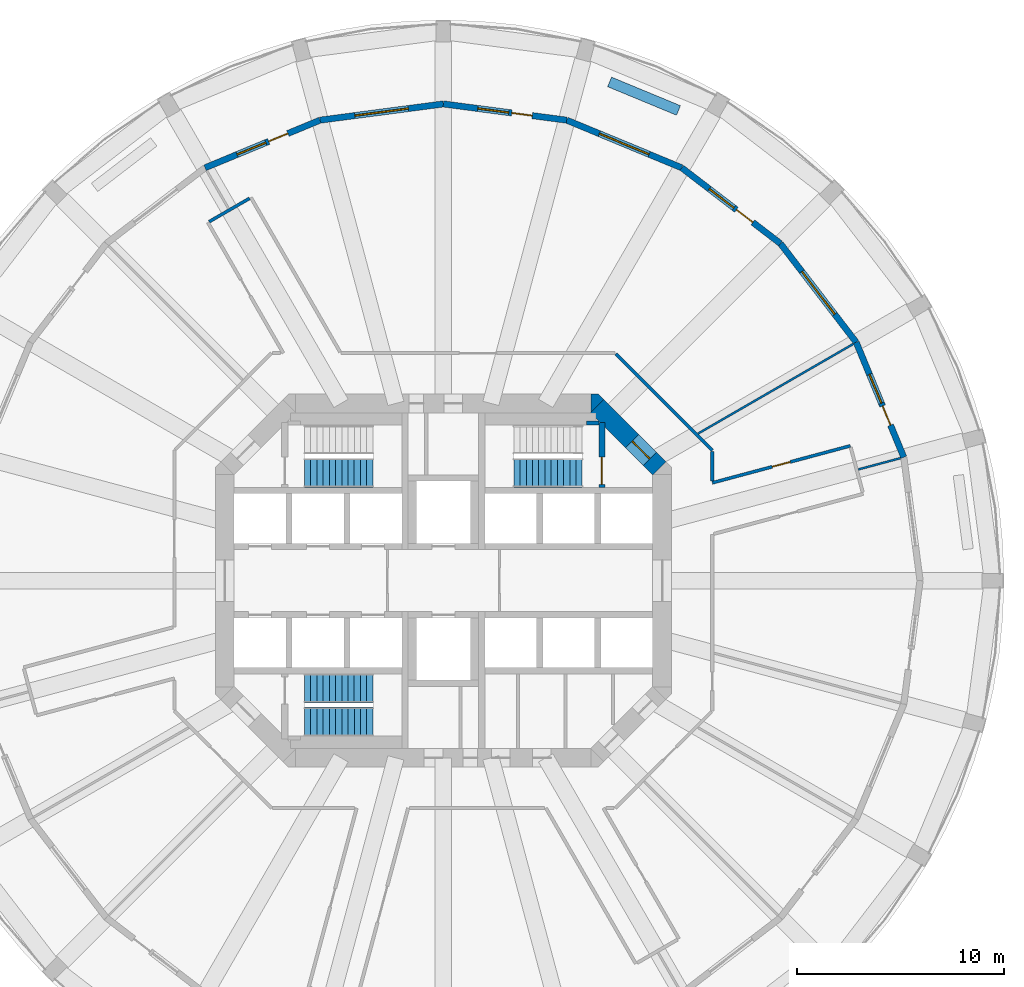
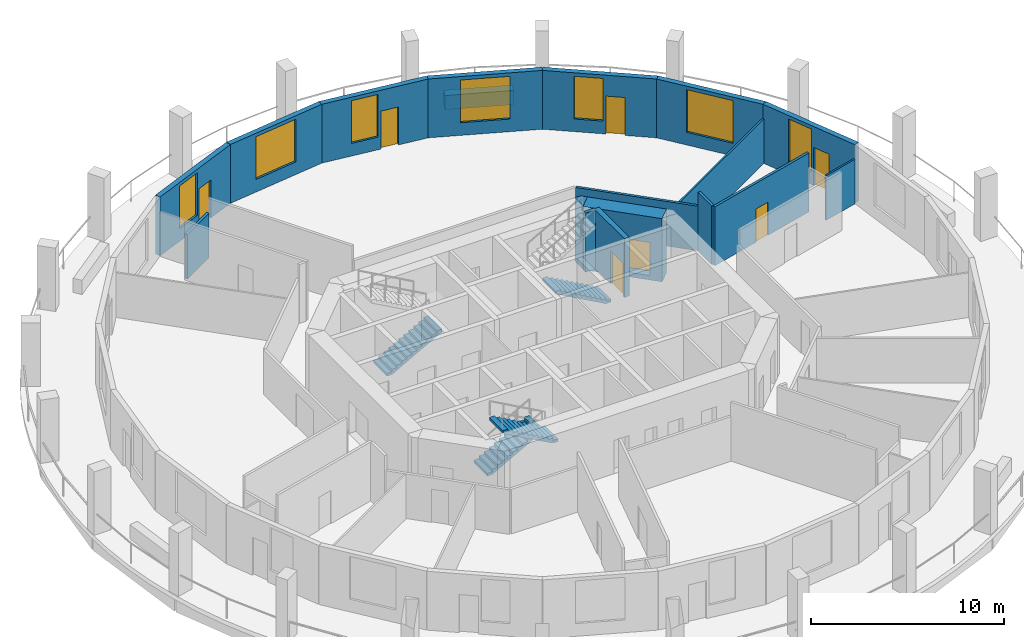
# One storey, part 6 of 9: 18 walls, 7 doors, 7 windows, 4 stair flights, 14 openings, 3 elements without a shape of their own.
"""IFC4 building model written with IfcOpenShell, lengths in metres."""

from ifc_helpers import new_model, si_unit, direction, frame, frame_2d, origin, place, context, subcontext, project, spatial, polyline, rectangle, outline, extrude, material, layer, layer_set, type_object, element, fill, aggregate, save


model = new_model("IFC4")

# Units and contexts
model_context = context("Model", 3, precision=1e-05, world=origin(), true_north=direction((0.0, 1.0)))
body_context = subcontext(model_context, "Body", "Model", "MODEL_VIEW")
ifc_project = project(units=[si_unit("LENGTHUNIT", "METRE"), si_unit("AREAUNIT", "SQUARE_METRE"), si_unit("VOLUMEUNIT", "CUBIC_METRE"), si_unit("PLANEANGLEUNIT", "RADIAN"), si_unit("MASSUNIT", "GRAM", prefix="KILO")], contexts=[model_context])

# Site, building, storey
site_placement = place(None, origin())
site = spatial("IfcSite", under=ifc_project, at=site_placement, CompositionType="ELEMENT")
building_placement = place(site_placement, origin())
building = spatial("IfcBuilding", under=site, at=building_placement, Name="Torre Triforio", CompositionType="ELEMENT")
storey_placement = place(building_placement, frame((0.0, 0.0, 63.0)))
storey = spatial("IfcBuildingStorey", under=building, at=storey_placement, Name="L13", CompositionType="ELEMENT", Elevation=63.0)

# Wall, opening, door
ifc_material_1 = material(Name="Concrete C60", Category="concrete")
ifc_layer_1 = layer(ifc_material_1, 0.89990234375)
ifc_layer_set_1 = layer_set([ifc_layer_1], Name="Concrete C60")
wall_type_1 = type_object("IfcWallType", Name="Core wall 900 mm C60 EI 120", PredefinedType="SHEAR", material=ifc_layer_set_1)
wall_1_placement = place(storey_placement, frame((7.418212890625, 8.418212890625, -0.280029296875), z_axis=(0.0, 0.0, 1.0), x_axis=(0.707106781187, -0.707106781187, 0.0)))
wall_1 = element("IfcWall", 1, at=wall_1_placement, inside=storey, type_object=wall_type_1, Name="Core wall", PredefinedType="SHEAR", context=body_context, shape_type="SweptSolid", body=[
    extrude(rectangle(XDim=4.24267578125, YDim=0.89990234375, at=frame_2d((2.121337890625, 0.0))), origin(), (0.0, 0.0, 1.0), 4.0),
])
opening_1_placement = place(wall_1_placement, frame((2.392578125, 0.0, 0.280029296875)))
opening_1 = element("IfcOpeningElement", 2, at=opening_1_placement, cuts=wall_1, Name="Opening ST2-EXIT", PredefinedType="OPENING", context=body_context, shape_type="SweptSolid", body=[
    extrude(rectangle(XDim=1.199951171875, YDim=2.10009765625, at=frame_2d((0.60009765625, 1.050048828125))), frame((0.0, 0.4599609375, 0.0), z_axis=(0.0, -1.0, 0.0), x_axis=(1.0, 0.0, 0.0)), (0.0, 0.0, 1.0), 0.919921875),
])
ifc_material_2 = material(Name="Hollow metal fire door leaf")
door_type_1 = type_object("IfcDoorType", Name="Stair lobby door 1200 x 2100 EI 60", OperationType="NOTDEFINED", PredefinedType="DOOR", material=ifc_material_2)
door_1_placement = place(opening_1_placement, origin())
door_1 = element("IfcDoor", 3, at=door_1_placement, inside=storey, type_object=door_type_1, Name="Core door ST2-EXIT", OperationType="SINGLE_SWING_RIGHT", OverallHeight=2.10009765625, OverallWidth=1.199951171875, PredefinedType="DOOR", context=body_context, shape_type="SweptSolid", body=[
    extrude(rectangle(XDim=1.199951171875, YDim=2.10009765625, at=frame_2d((0.60009765625, 1.050048828125))), frame((0.0, 0.02490234375, 0.0), z_axis=(0.0, -1.0, 0.0), x_axis=(1.0, 0.0, 0.0)), (0.0, 0.0, 1.0), 0.050048828125),
])
fill(opening_1, door_1)

# Walls
wall_2_placement = place(storey_placement, frame((0.0, 0.0, -0.280029296875)))
element("IfcWall", 4, at=wall_2_placement, inside=storey, type_object=wall_type_1, Name="Core wall", PredefinedType="SHEAR", context=body_context, shape_type="SweptSolid", body=[
    extrude(outline(polyline([(7.472900390625, 9.0), (7.736328125, 8.736328125), (7.1298828125, 8.1298828125), (7.1298828125, 9.0), (7.472900390625, 9.0)])), origin(), (0.0, 0.0, 1.0), 4.0),
])
ifc_material_3 = material(Name="Plasterboard on metal studs")
ifc_layer_2 = layer(ifc_material_3, 0.14990234375)
ifc_layer_set_2 = layer_set([ifc_layer_2], Name="Plasterboard on metal studs")
wall_type_2 = type_object("IfcWallType", Name="Corridor and tenancy wall 150 mm EI 60", PredefinedType="PARTITIONING", material=ifc_layer_set_2)
wall_3_placement = place(storey_placement, frame((-11.298583984375, 17.31982421875, 0.0), z_axis=(0.0, 0.0, 1.0), x_axis=(0.866017533419, 0.500013631625, 0.0)))
element("IfcWall", 5, at=wall_3_placement, inside=storey, type_object=wall_type_2, Name="Partition 7", PredefinedType="PARTITIONING", context=body_context, shape_type="SweptSolid", body=[
    extrude(rectangle(XDim=2.25, YDim=0.14990234375, at=frame_2d((1.125, 0.0))), origin(), (0.0, 0.0, 1.0), 2.820068359375),
])
wall_4_placement = place(storey_placement, frame((8.327880859375, 10.93798828125, 0.0), z_axis=(0.0, 0.0, 1.0), x_axis=(0.707125355289, -0.707088206597, 0.0)))
element("IfcWall", 6, at=wall_4_placement, inside=storey, type_object=wall_type_2, Name="Partition 10", PredefinedType="PARTITIONING", context=body_context, shape_type="SweptSolid", body=[
    extrude(rectangle(XDim=6.572021484375, YDim=0.14990234375, at=frame_2d((3.2861328125, 0.0))), origin(), (0.0, 0.0, 1.0), 2.820068359375),
])
wall_5_placement = place(storey_placement, frame((12.97509765625, 6.23828125, 0.0), z_axis=(0.0, 0.0, 1.0), x_axis=(0.0, -1.0, 0.0)))
element("IfcWall", 7, at=wall_5_placement, inside=storey, type_object=wall_type_2, Name="Partition 11", PredefinedType="PARTITIONING", context=body_context, shape_type="SweptSolid", body=[
    extrude(rectangle(XDim=1.421875, YDim=0.14990234375, at=frame_2d((0.7109375, 0.0))), origin(), (0.0, 0.0, 1.0), 3.719970703125),
])

# Wall, opening, door
wall_6_placement = place(storey_placement, frame((12.97509765625, 4.718994140625, 0.0), z_axis=(0.0, 0.0, 1.0), x_axis=(0.965924499418, 0.258823997003, 0.0)))
wall_6 = element("IfcWall", 8, at=wall_6_placement, inside=storey, type_object=wall_type_2, Name="Partition 12", PredefinedType="PARTITIONING", context=body_context, shape_type="SweptSolid", body=[
    extrude(rectangle(XDim=6.894287109375, YDim=0.14990234375, at=frame_2d((3.447265625, 0.0))), origin(), (0.0, 0.0, 1.0), 3.719970703125),
])
opening_2_placement = place(wall_6_placement, frame((2.997314453125, 0.0, 0.0)))
opening_2 = element("IfcOpeningElement", 9, at=opening_2_placement, cuts=wall_6, Name="Opening N4-10", PredefinedType="OPENING", context=body_context, shape_type="SweptSolid", body=[
    extrude(rectangle(XDim=0.89990234375, YDim=2.10009765625, at=frame_2d((0.449951171875, 1.050048828125))), frame((0.0, 0.0849609375, 0.0), z_axis=(0.0, -1.0, 0.0), x_axis=(1.0, 0.0, 0.0)), (0.0, 0.0, 1.0), 0.169921875),
])
ifc_material_4 = material(Name="Timber", Category="wood")
door_type_2 = type_object("IfcDoorType", Name="Door 900 x 2100 single leaf EI 30", OperationType="NOTDEFINED", PredefinedType="DOOR", material=ifc_material_4)
door_2_placement = place(opening_2_placement, origin())
door_2 = element("IfcDoor", 10, at=door_2_placement, inside=storey, type_object=door_type_2, Name="Door N4-10", OperationType="SINGLE_SWING_RIGHT", OverallHeight=2.10009765625, OverallWidth=0.89990234375, PredefinedType="DOOR", context=body_context, shape_type="SweptSolid", body=[
    extrude(rectangle(XDim=0.89990234375, YDim=2.10009765625, at=frame_2d((0.449951171875, 1.050048828125))), frame((0.0, 0.02490234375, 0.0), z_axis=(0.0, -1.0, 0.0), x_axis=(1.0, 0.0, 0.0)), (0.0, 0.0, 1.0), 0.050048828125),
])
fill(opening_2, door_2)

# Walls
ifc_layer_3 = layer(ifc_material_3, 0.10009765625)
ifc_layer_set_3 = layer_set([ifc_layer_3], Name="Plasterboard on metal studs")
wall_type_3 = type_object("IfcWallType", Name="Partition 100 mm board on metal studs", PredefinedType="PARTITIONING", material=ifc_layer_set_3)
wall_7_placement = place(storey_placement, frame((20.017578125, 5.36376953125, 0.0), z_axis=(0.0, 0.0, 1.0), x_axis=(0.965927422152, 0.258813089189, 0.0)))
element("IfcWall", 11, at=wall_7_placement, inside=storey, type_object=wall_type_3, Name="Partition 29", PredefinedType="PARTITIONING", context=body_context, shape_type="SweptSolid", body=[
    extrude(rectangle(XDim=2.113037109375, YDim=0.10009765625, at=frame_2d((1.056640625, 0.0))), origin(), (0.0, 0.0, 1.0), 2.820068359375),
])
wall_8_placement = place(storey_placement, frame((12.294189453125, 7.097900390625, 0.0), z_axis=(0.0, 0.0, 1.0), x_axis=(0.866010547425, 0.500025731086, 0.0)))
element("IfcWall", 12, at=wall_8_placement, inside=storey, type_object=wall_type_3, Name="Partition 30", PredefinedType="PARTITIONING", context=body_context, shape_type="SweptSolid", body=[
    extrude(rectangle(XDim=8.640625, YDim=0.10009765625, at=frame_2d((4.3203125, 0.0))), origin(), (0.0, 0.0, 1.0), 2.820068359375),
])
ifc_material_5 = material(Name="Limestone cladding", Category="masonry")
ifc_layer_4 = layer(ifc_material_5, 0.10009765625)
ifc_material_6 = material(Name="Concrete C40", Category="concrete")
ifc_layer_5 = layer(ifc_material_6, 0.39990234375)
ifc_layer_set_4 = layer_set([ifc_layer_4, ifc_layer_5], Name="Limestone cladding / Concrete C40")
wall_type_4 = type_object("IfcWallType", Name="Planter wall 500", PredefinedType="PARAPET", material=ifc_layer_set_4)
wall_9_placement = place(storey_placement, frame((11.344970703125, 22.685302734375, 0.0), z_axis=(0.0, 0.0, 1.0), x_axis=(-0.923885420167, 0.382669217998, 0.0)))
element("IfcWall", 13, at=wall_9_placement, inside=storey, type_object=wall_type_4, Name="Planter L13 bay 05", PredefinedType="PARAPET", context=body_context, shape_type="SweptSolid", body=[
    extrude(rectangle(XDim=3.60009765625, YDim=0.5, at=frame_2d((1.800048828125, 0.0))), origin(), (0.0, 0.0, 1.0), 0.89990234375),
])
ifc_layer_6 = layer(ifc_material_1, 0.199951171875)
ifc_layer_set_5 = layer_set([ifc_layer_6], Name="Concrete C60")
wall_type_5 = type_object("IfcWallType", Name="Stair wall 200 mm C60 EI 120", PredefinedType="SHEAR", material=ifc_layer_set_5)
wall_10_placement = place(storey_placement, frame((6.89990234375, 7.60009765625, 0.0), z_axis=(0.0, 0.0, 1.0), x_axis=(1.0, 0.0, 0.0)))
element("IfcWall", 14, at=wall_10_placement, inside=storey, type_object=wall_type_5, Name="Stair wall", PredefinedType="SHEAR", context=body_context, shape_type="SweptSolid", body=[
    extrude(rectangle(XDim=0.60009765625, YDim=0.199951171875, at=frame_2d((0.300048828125, 0.0))), origin(), (0.0, 0.0, 1.0), 3.719970703125),
])

# Wall, opening, door
ifc_layer_7 = layer(ifc_material_1, 0.300048828125)
ifc_layer_set_6 = layer_set([ifc_layer_7], Name="Concrete C60")
wall_type_6 = type_object("IfcWallType", Name="Stair wall 300 mm C60 EI 120", PredefinedType="SHEAR", material=ifc_layer_set_6)
wall_11_placement = place(storey_placement, frame((7.64990234375, 4.5, 0.0), z_axis=(0.0, 0.0, 1.0), x_axis=(0.0, 1.0, 0.0)))
wall_11 = element("IfcWall", 15, at=wall_11_placement, inside=storey, type_object=wall_type_6, Name="Stair wall", PredefinedType="SHEAR", context=body_context, shape_type="SweptSolid", body=[
    extrude(rectangle(XDim=3.139892578125, YDim=0.300048828125, at=frame_2d((1.56982421875, 0.0))), origin(), (0.0, 0.0, 1.0), 3.719970703125),
])
opening_3_placement = place(wall_11_placement, frame((0.139892578125, 0.0, 0.0)))
opening_3 = element("IfcOpeningElement", 16, at=opening_3_placement, cuts=wall_11, Name="Opening ST2-STA", PredefinedType="OPENING", context=body_context, shape_type="SweptSolid", body=[
    extrude(rectangle(XDim=1.320068359375, YDim=2.10009765625, at=frame_2d((0.66015625, 1.050048828125))), frame((0.0, 0.159912109375, 0.0), z_axis=(0.0, -1.0, 0.0), x_axis=(1.0, 0.0, 0.0)), (0.0, 0.0, 1.0), 0.320068359375),
])
door_type_3 = type_object("IfcDoorType", Name="Stair door 1320 x 2100 EI 90", OperationType="DOUBLE_DOOR_SINGLE_SWING", PredefinedType="DOOR", material=ifc_material_2)
door_3_placement = place(opening_3_placement, origin())
door_3 = element("IfcDoor", 17, at=door_3_placement, inside=storey, type_object=door_type_3, Name="Core door ST2-ST", OperationType="DOUBLE_DOOR_SINGLE_SWING", OverallHeight=2.10009765625, OverallWidth=1.320068359375, PredefinedType="DOOR", context=body_context, shape_type="SweptSolid", body=[
    extrude(rectangle(XDim=1.320068359375, YDim=2.10009765625, at=frame_2d((0.66015625, 1.050048828125))), frame((0.0, 0.02490234375, 0.0), z_axis=(0.0, -1.0, 0.0), x_axis=(1.0, 0.0, 0.0)), (0.0, 0.0, 1.0), 0.050048828125),
])
fill(opening_3, door_3)

# Wall, openings, door, window
ifc_layer_8 = layer(ifc_material_5, 0.10009765625)
ifc_layer_9 = layer(ifc_material_6, 0.199951171875)
ifc_layer_set_7 = layer_set([ifc_layer_8, ifc_layer_9], Name="Limestone cladding / Concrete C40")
wall_type_7 = type_object("IfcWallType", Name="Stone-faced composite wall 300", PredefinedType="STANDARD", material=ifc_layer_set_7)
wall_12_placement = place(storey_placement, frame((22.21630859375, 5.952880859375, 0.0), z_axis=(0.0, 0.0, 1.0), x_axis=(-0.382671411433, 0.923884511653, 0.0)))
wall_12 = element("IfcWall", 18, at=wall_12_placement, inside=storey, type_object=wall_type_7, Name="External wall L13 bay 02", PredefinedType="STANDARD", context=body_context, shape_type="SweptSolid", body=[
    extrude(rectangle(XDim=6.004150390625, YDim=0.300048828125, at=frame_2d((3.001953125, 0.0))), origin(), (0.0, 0.0, 1.0), 3.719970703125),
])
opening_4_placement = place(wall_12_placement, frame((1.677001953125, 0.0, 0.0)))
opening_4 = element("IfcOpeningElement", 19, at=opening_4_placement, cuts=wall_12, Name="Opening N4-D02", PredefinedType="OPENING", context=body_context, shape_type="SweptSolid", body=[
    extrude(rectangle(XDim=1.0, YDim=2.39990234375, at=frame_2d((0.5, 1.199951171875))), frame((0.0, 0.159912109375, 0.0), z_axis=(0.0, -1.0, 0.0), x_axis=(1.0, 0.0, 0.0)), (0.0, 0.0, 1.0), 0.320068359375),
])
opening_5_placement = place(wall_12_placement, frame((2.8271484375, 0.0, 0.800048828125)))
opening_5 = element("IfcOpeningElement", 20, at=opening_5_placement, cuts=wall_12, Name="Opening N4-W02A", PredefinedType="OPENING", context=body_context, shape_type="SweptSolid", body=[
    extrude(rectangle(XDim=1.5, YDim=2.699951171875, at=frame_2d((0.75, 1.35009765625))), frame((0.0, 0.159912109375, 0.0), z_axis=(0.0, -1.0, 0.0), x_axis=(1.0, 0.0, 0.0)), (0.0, 0.0, 1.0), 0.320068359375),
])
ifc_material_7 = material(Name="Aluminium frame with clear double glazing", Category="aluminium")
door_type_4 = type_object("IfcDoorType", Name="Loggia door 1000 x 2400", OperationType="NOTDEFINED", PredefinedType="DOOR", material=ifc_material_7)
door_4_placement = place(opening_4_placement, origin())
door_4 = element("IfcDoor", 21, at=door_4_placement, inside=storey, type_object=door_type_4, Name="Loggia door L13 bay 02", OperationType="SINGLE_SWING_LEFT", OverallHeight=2.39990234375, OverallWidth=1.0, PredefinedType="DOOR", context=body_context, shape_type="SweptSolid", body=[
    extrude(rectangle(XDim=1.0, YDim=2.39990234375, at=frame_2d((0.5, 1.199951171875))), frame((0.0, 0.02490234375, 0.0), z_axis=(0.0, -1.0, 0.0), x_axis=(1.0, 0.0, 0.0)), (0.0, 0.0, 1.0), 0.050048828125),
])
fill(opening_4, door_4)
window_type_1 = type_object("IfcWindowType", Name="Side window 1500 x 2700", PartitioningType="SINGLE_PANEL", PredefinedType="WINDOW", material=ifc_material_7)
window_1_placement = place(opening_5_placement, origin())
window_1 = element("IfcWindow", 22, at=window_1_placement, inside=storey, type_object=window_type_1, Name="Side window EWN12 L13 bay 02", OverallHeight=2.699951171875, OverallWidth=1.5, PartitioningType="SINGLE_PANEL", PredefinedType="WINDOW", context=body_context, shape_type="SweptSolid", body=[
    extrude(rectangle(XDim=1.5, YDim=2.699951171875, at=frame_2d((0.75, 1.35009765625))), frame((0.0, 0.030029296875, 0.0), z_axis=(0.0, -1.0, 0.0), x_axis=(1.0, 0.0, 0.0)), (0.0, 0.0, 1.0), 0.06005859375),
])
fill(opening_5, window_1)

# Wall, opening, window
wall_13_placement = place(storey_placement, frame((19.918701171875, 11.5, 0.0), z_axis=(0.0, 0.0, 1.0), x_axis=(-0.608778912074, 0.793339924758, 0.0)))
wall_13 = element("IfcWall", 23, at=wall_13_placement, inside=storey, type_object=wall_type_7, Name="External wall L13 bay 03", PredefinedType="STANDARD", context=body_context, shape_type="SweptSolid", body=[
    extrude(rectangle(XDim=6.004150390625, YDim=0.300048828125, at=frame_2d((3.001953125, 0.0))), origin(), (0.0, 0.0, 1.0), 3.719970703125),
])
opening_6_placement = place(wall_13_placement, frame((1.7021484375, 0.0, 0.800048828125)))
opening_6 = element("IfcOpeningElement", 24, at=opening_6_placement, cuts=wall_13, Name="Opening N4-W03", PredefinedType="OPENING", context=body_context, shape_type="SweptSolid", body=[
    extrude(rectangle(XDim=2.60009765625, YDim=2.699951171875, at=frame_2d((1.300048828125, 1.35009765625))), frame((0.0, 0.159912109375, 0.0), z_axis=(0.0, -1.0, 0.0), x_axis=(1.0, 0.0, 0.0)), (0.0, 0.0, 1.0), 0.320068359375),
])
window_type_2 = type_object("IfcWindowType", Name="Punched window 2600 x 2700", PartitioningType="DOUBLE_PANEL_VERTICAL", PredefinedType="WINDOW", material=ifc_material_7)
window_2_placement = place(opening_6_placement, origin())
window_2 = element("IfcWindow", 25, at=window_2_placement, inside=storey, type_object=window_type_2, Name="Window EWN2 L13 bay 03", OverallHeight=2.699951171875, OverallWidth=2.60009765625, PartitioningType="SINGLE_PANEL", PredefinedType="WINDOW", context=body_context, shape_type="SweptSolid", body=[
    extrude(rectangle(XDim=2.60009765625, YDim=2.699951171875, at=frame_2d((1.300048828125, 1.35009765625))), frame((0.0, 0.030029296875, 0.0), z_axis=(0.0, -1.0, 0.0), x_axis=(1.0, 0.0, 0.0)), (0.0, 0.0, 1.0), 0.06005859375),
])
fill(opening_6, window_2)

# Wall, openings, door, window
wall_14_placement = place(storey_placement, frame((16.263427734375, 16.263427734375, 0.0), z_axis=(0.0, 0.0, 1.0), x_axis=(-0.793339924758, 0.608778912074, 0.0)))
wall_14 = element("IfcWall", 26, at=wall_14_placement, inside=storey, type_object=wall_type_7, Name="External wall L13 bay 04", PredefinedType="STANDARD", context=body_context, shape_type="SweptSolid", body=[
    extrude(rectangle(XDim=6.004150390625, YDim=0.300048828125, at=frame_2d((3.001953125, 0.0))), origin(), (0.0, 0.0, 1.0), 3.719970703125),
])
opening_7_placement = place(wall_14_placement, frame((1.677001953125, 0.0, 0.0)))
opening_7 = element("IfcOpeningElement", 27, at=opening_7_placement, cuts=wall_14, Name="Opening N4-D04", PredefinedType="OPENING", context=body_context, shape_type="SweptSolid", body=[
    extrude(rectangle(XDim=1.0, YDim=2.39990234375, at=frame_2d((0.5, 1.199951171875))), frame((0.0, 0.159912109375, 0.0), z_axis=(0.0, -1.0, 0.0), x_axis=(1.0, 0.0, 0.0)), (0.0, 0.0, 1.0), 0.320068359375),
])
opening_8_placement = place(wall_14_placement, frame((2.8271484375, 0.0, 0.800048828125)))
opening_8 = element("IfcOpeningElement", 28, at=opening_8_placement, cuts=wall_14, Name="Opening N4-W04A", PredefinedType="OPENING", context=body_context, shape_type="SweptSolid", body=[
    extrude(rectangle(XDim=1.5, YDim=2.699951171875, at=frame_2d((0.75, 1.35009765625))), frame((0.0, 0.159912109375, 0.0), z_axis=(0.0, -1.0, 0.0), x_axis=(1.0, 0.0, 0.0)), (0.0, 0.0, 1.0), 0.320068359375),
])
door_5_placement = place(opening_7_placement, origin())
door_5 = element("IfcDoor", 29, at=door_5_placement, inside=storey, type_object=door_type_4, Name="Loggia door L13 bay 04", OperationType="SINGLE_SWING_LEFT", OverallHeight=2.39990234375, OverallWidth=1.0, PredefinedType="DOOR", context=body_context, shape_type="SweptSolid", body=[
    extrude(rectangle(XDim=1.0, YDim=2.39990234375, at=frame_2d((0.5, 1.199951171875))), frame((0.0, 0.02490234375, 0.0), z_axis=(0.0, -1.0, 0.0), x_axis=(1.0, 0.0, 0.0)), (0.0, 0.0, 1.0), 0.050048828125),
])
fill(opening_7, door_5)
window_3_placement = place(opening_8_placement, origin())
window_3 = element("IfcWindow", 30, at=window_3_placement, inside=storey, type_object=window_type_1, Name="Side window EWN12 L13 bay 04", OverallHeight=2.699951171875, OverallWidth=1.5, PartitioningType="SINGLE_PANEL", PredefinedType="WINDOW", context=body_context, shape_type="SweptSolid", body=[
    extrude(rectangle(XDim=1.5, YDim=2.699951171875, at=frame_2d((0.75, 1.35009765625))), frame((0.0, 0.030029296875, 0.0), z_axis=(0.0, -1.0, 0.0), x_axis=(1.0, 0.0, 0.0)), (0.0, 0.0, 1.0), 0.06005859375),
])
fill(opening_8, window_3)

# Wall, opening, window
wall_15_placement = place(storey_placement, frame((11.5, 19.918701171875, 0.0), z_axis=(0.0, 0.0, 1.0), x_axis=(-0.923884511653, 0.382671411433, 0.0)))
wall_15 = element("IfcWall", 31, at=wall_15_placement, inside=storey, type_object=wall_type_7, Name="External wall L13 bay 05", PredefinedType="STANDARD", context=body_context, shape_type="SweptSolid", body=[
    extrude(rectangle(XDim=6.004150390625, YDim=0.300048828125, at=frame_2d((3.001953125, 0.0))), origin(), (0.0, 0.0, 1.0), 3.719970703125),
])
opening_9_placement = place(wall_15_placement, frame((1.7021484375, 0.0, 0.800048828125)))
opening_9 = element("IfcOpeningElement", 32, at=opening_9_placement, cuts=wall_15, Name="Opening N4-W05", PredefinedType="OPENING", context=body_context, shape_type="SweptSolid", body=[
    extrude(rectangle(XDim=2.60009765625, YDim=2.699951171875, at=frame_2d((1.300048828125, 1.35009765625))), frame((0.0, 0.159912109375, 0.0), z_axis=(0.0, -1.0, 0.0), x_axis=(1.0, 0.0, 0.0)), (0.0, 0.0, 1.0), 0.320068359375),
])
window_4_placement = place(opening_9_placement, origin())
window_4 = element("IfcWindow", 33, at=window_4_placement, inside=storey, type_object=window_type_2, Name="Window EWN2 L13 bay 05", OverallHeight=2.699951171875, OverallWidth=2.60009765625, PartitioningType="SINGLE_PANEL", PredefinedType="WINDOW", context=body_context, shape_type="SweptSolid", body=[
    extrude(rectangle(XDim=2.60009765625, YDim=2.699951171875, at=frame_2d((1.300048828125, 1.35009765625))), frame((0.0, 0.030029296875, 0.0), z_axis=(0.0, -1.0, 0.0), x_axis=(1.0, 0.0, 0.0)), (0.0, 0.0, 1.0), 0.06005859375),
])
fill(opening_9, window_4)

# Wall, openings, door, window
wall_16_placement = place(storey_placement, frame((5.952880859375, 22.21630859375, 0.0), z_axis=(0.0, 0.0, 1.0), x_axis=(-0.991445297315, 0.130522880875, 0.0)))
wall_16 = element("IfcWall", 34, at=wall_16_placement, inside=storey, type_object=wall_type_7, Name="External wall L13 bay 06", PredefinedType="STANDARD", context=body_context, shape_type="SweptSolid", body=[
    extrude(rectangle(XDim=6.004150390625, YDim=0.300048828125, at=frame_2d((3.001953125, 0.0))), origin(), (0.0, 0.0, 1.0), 3.719970703125),
])
opening_10_placement = place(wall_16_placement, frame((1.677001953125, 0.0, 0.0)))
opening_10 = element("IfcOpeningElement", 35, at=opening_10_placement, cuts=wall_16, Name="Opening N4-D06", PredefinedType="OPENING", context=body_context, shape_type="SweptSolid", body=[
    extrude(rectangle(XDim=1.0, YDim=2.39990234375, at=frame_2d((0.5, 1.199951171875))), frame((0.0, 0.159912109375, 0.0), z_axis=(0.0, -1.0, 0.0), x_axis=(1.0, 0.0, 0.0)), (0.0, 0.0, 1.0), 0.320068359375),
])
opening_11_placement = place(wall_16_placement, frame((2.8271484375, 0.0, 0.800048828125)))
opening_11 = element("IfcOpeningElement", 36, at=opening_11_placement, cuts=wall_16, Name="Opening N4-W06A", PredefinedType="OPENING", context=body_context, shape_type="SweptSolid", body=[
    extrude(rectangle(XDim=1.5, YDim=2.699951171875, at=frame_2d((0.75, 1.35009765625))), frame((0.0, 0.159912109375, 0.0), z_axis=(0.0, -1.0, 0.0), x_axis=(1.0, 0.0, 0.0)), (0.0, 0.0, 1.0), 0.320068359375),
])
door_6_placement = place(opening_10_placement, origin())
door_6 = element("IfcDoor", 37, at=door_6_placement, inside=storey, type_object=door_type_4, Name="Loggia door L13 bay 06", OperationType="SINGLE_SWING_LEFT", OverallHeight=2.39990234375, OverallWidth=1.0, PredefinedType="DOOR", context=body_context, shape_type="SweptSolid", body=[
    extrude(rectangle(XDim=1.0, YDim=2.39990234375, at=frame_2d((0.5, 1.199951171875))), frame((0.0, 0.02490234375, 0.0), z_axis=(0.0, -1.0, 0.0), x_axis=(1.0, 0.0, 0.0)), (0.0, 0.0, 1.0), 0.050048828125),
])
fill(opening_10, door_6)
window_5_placement = place(opening_11_placement, origin())
window_5 = element("IfcWindow", 38, at=window_5_placement, inside=storey, type_object=window_type_1, Name="Side window EWN12 L13 bay 06", OverallHeight=2.699951171875, OverallWidth=1.5, PartitioningType="SINGLE_PANEL", PredefinedType="WINDOW", context=body_context, shape_type="SweptSolid", body=[
    extrude(rectangle(XDim=1.5, YDim=2.699951171875, at=frame_2d((0.75, 1.35009765625))), frame((0.0, 0.030029296875, 0.0), z_axis=(0.0, -1.0, 0.0), x_axis=(1.0, 0.0, 0.0)), (0.0, 0.0, 1.0), 0.06005859375),
])
fill(opening_11, window_5)

# Wall, opening, window
wall_17_placement = place(storey_placement, frame((0.0, 23.0, 0.0), z_axis=(0.0, 0.0, 1.0), x_axis=(-0.991445297315, -0.130522880875, 0.0)))
wall_17 = element("IfcWall", 39, at=wall_17_placement, inside=storey, type_object=wall_type_7, Name="External wall L13 bay 07", PredefinedType="STANDARD", context=body_context, shape_type="SweptSolid", body=[
    extrude(rectangle(XDim=6.004150390625, YDim=0.300048828125, at=frame_2d((3.001953125, 0.0))), origin(), (0.0, 0.0, 1.0), 3.719970703125),
])
opening_12_placement = place(wall_17_placement, frame((1.7021484375, 0.0, 0.800048828125)))
opening_12 = element("IfcOpeningElement", 40, at=opening_12_placement, cuts=wall_17, Name="Opening N4-W07", PredefinedType="OPENING", context=body_context, shape_type="SweptSolid", body=[
    extrude(rectangle(XDim=2.60009765625, YDim=2.699951171875, at=frame_2d((1.300048828125, 1.35009765625))), frame((0.0, 0.159912109375, 0.0), z_axis=(0.0, -1.0, 0.0), x_axis=(1.0, 0.0, 0.0)), (0.0, 0.0, 1.0), 0.320068359375),
])
window_6_placement = place(opening_12_placement, origin())
window_6 = element("IfcWindow", 41, at=window_6_placement, inside=storey, type_object=window_type_2, Name="Window EWN2 L13 bay 07", OverallHeight=2.699951171875, OverallWidth=2.60009765625, PartitioningType="SINGLE_PANEL", PredefinedType="WINDOW", context=body_context, shape_type="SweptSolid", body=[
    extrude(rectangle(XDim=2.60009765625, YDim=2.699951171875, at=frame_2d((1.300048828125, 1.35009765625))), frame((0.0, 0.030029296875, 0.0), z_axis=(0.0, -1.0, 0.0), x_axis=(1.0, 0.0, 0.0)), (0.0, 0.0, 1.0), 0.06005859375),
])
fill(opening_12, window_6)

# Wall, openings, door, window
wall_18_placement = place(storey_placement, frame((-5.952880859375, 22.21630859375, 0.0), z_axis=(0.0, 0.0, 1.0), x_axis=(-0.923884511653, -0.382671411433, 0.0)))
wall_18 = element("IfcWall", 42, at=wall_18_placement, inside=storey, type_object=wall_type_7, Name="External wall L13 bay 08", PredefinedType="STANDARD", context=body_context, shape_type="SweptSolid", body=[
    extrude(rectangle(XDim=6.004150390625, YDim=0.300048828125, at=frame_2d((3.001953125, 0.0))), origin(), (0.0, 0.0, 1.0), 3.719970703125),
])
opening_13_placement = place(wall_18_placement, frame((1.677001953125, 0.0, 0.0)))
opening_13 = element("IfcOpeningElement", 43, at=opening_13_placement, cuts=wall_18, Name="Opening N4-D08", PredefinedType="OPENING", context=body_context, shape_type="SweptSolid", body=[
    extrude(rectangle(XDim=1.0, YDim=2.39990234375, at=frame_2d((0.5, 1.199951171875))), frame((0.0, 0.159912109375, 0.0), z_axis=(0.0, -1.0, 0.0), x_axis=(1.0, 0.0, 0.0)), (0.0, 0.0, 1.0), 0.320068359375),
])
opening_14_placement = place(wall_18_placement, frame((2.8271484375, 0.0, 0.800048828125)))
opening_14 = element("IfcOpeningElement", 44, at=opening_14_placement, cuts=wall_18, Name="Opening N4-W08A", PredefinedType="OPENING", context=body_context, shape_type="SweptSolid", body=[
    extrude(rectangle(XDim=1.5, YDim=2.699951171875, at=frame_2d((0.75, 1.35009765625))), frame((0.0, 0.159912109375, 0.0), z_axis=(0.0, -1.0, 0.0), x_axis=(1.0, 0.0, 0.0)), (0.0, 0.0, 1.0), 0.320068359375),
])
door_7_placement = place(opening_13_placement, origin())
door_7 = element("IfcDoor", 45, at=door_7_placement, inside=storey, type_object=door_type_4, Name="Loggia door L13 bay 08", OperationType="SINGLE_SWING_LEFT", OverallHeight=2.39990234375, OverallWidth=1.0, PredefinedType="DOOR", context=body_context, shape_type="SweptSolid", body=[
    extrude(rectangle(XDim=1.0, YDim=2.39990234375, at=frame_2d((0.5, 1.199951171875))), frame((0.0, 0.02490234375, 0.0), z_axis=(0.0, -1.0, 0.0), x_axis=(1.0, 0.0, 0.0)), (0.0, 0.0, 1.0), 0.050048828125),
])
fill(opening_13, door_7)
window_7_placement = place(opening_14_placement, origin())
window_7 = element("IfcWindow", 46, at=window_7_placement, inside=storey, type_object=window_type_1, Name="Side window EWN12 L13 bay 08", OverallHeight=2.699951171875, OverallWidth=1.5, PartitioningType="SINGLE_PANEL", PredefinedType="WINDOW", context=body_context, shape_type="SweptSolid", body=[
    extrude(rectangle(XDim=1.5, YDim=2.699951171875, at=frame_2d((0.75, 1.35009765625))), frame((0.0, 0.030029296875, 0.0), z_axis=(0.0, -1.0, 0.0), x_axis=(1.0, 0.0, 0.0)), (0.0, 0.0, 1.0), 0.06005859375),
])
fill(opening_14, window_7)

# Stair, stair flight
stair_type = type_object("IfcStairType", Name="STAIR HALF-TURN", PredefinedType="HALF_TURN_STAIR", material=ifc_material_6)
stair_1_placement = place(storey_placement, origin())
stair_1 = element("IfcStair", 47, at=stair_1_placement, inside=storey, type_object=stair_type, Name="Exit stair 1", PredefinedType="HALF_TURN_STAIR")
stair_flight_type = type_object("IfcStairFlightType", Name="STAIR FLIGHT 1400", PredefinedType="STRAIGHT", material=ifc_material_6)
stair_flight_1_placement = place(storey_placement, frame((-6.699951171875, 5.199951171875, 0.0), z_axis=(0.0, 0.0, 1.0), x_axis=(1.0, 0.0, 0.0)))
stair_flight_1 = element("IfcStairFlight", 48, at=stair_flight_1_placement, type_object=stair_flight_type, Name="ST1 flight 1", NumberOfRisers=12, NumberOfTreads=11, PredefinedType="STRAIGHT", RiserHeight=0.166666667, TreadLength=0.3, context=body_context, shape_type="SweptSolid", body=[
    extrude(outline(polyline([(0.0, 0.0), (0.0, 0.166748046875), (0.300048828125, 0.166748046875), (0.300048828125, 0.333251953125), (0.60009765625, 0.333251953125), (0.60009765625, 0.5), (0.89990234375, 0.5), (0.89990234375, 0.666748046875), (1.199951171875, 0.666748046875), (1.199951171875, 0.833251953125), (1.5, 0.833251953125), (1.5, 1.0), (1.800048828125, 1.0), (1.800048828125, 1.166748046875), (2.10009765625, 1.166748046875), (2.10009765625, 1.333251953125), (2.39990234375, 1.333251953125), (2.39990234375, 1.5), (2.699951171875, 1.5), (2.699951171875, 1.666748046875), (3.0, 1.666748046875), (3.0, 1.833251953125), (3.300048828125, 1.833251953125), (3.300048828125, 2.0), (3.300048828125, 1.661865234375), (0.30859375, 0.0), (0.0, 0.0)])), frame((0.0, 0.699951171875, 0.0), z_axis=(0.0, -1.0, 0.0), x_axis=(1.0, 0.0, 0.0)), (0.0, 0.0, 1.0), 1.39990234375),
])
aggregate(stair_1, [stair_flight_1])

stair_2_placement = place(storey_placement, origin())
stair_2 = element("IfcStair", 49, at=stair_2_placement, inside=storey, type_object=stair_type, Name="Exit stair 2", PredefinedType="HALF_TURN_STAIR")
stair_flight_2_placement = place(storey_placement, frame((6.699951171875, 5.199951171875, 0.0), z_axis=(0.0, 0.0, 1.0), x_axis=(-1.0, 0.0, 0.0)))
stair_flight_2 = element("IfcStairFlight", 50, at=stair_flight_2_placement, type_object=stair_flight_type, Name="ST2 flight 1", NumberOfRisers=12, NumberOfTreads=11, PredefinedType="STRAIGHT", RiserHeight=0.166666667, TreadLength=0.3, context=body_context, shape_type="SweptSolid", body=[
    extrude(outline(polyline([(0.0, 0.0), (0.0, 0.166748046875), (0.300048828125, 0.166748046875), (0.300048828125, 0.333251953125), (0.60009765625, 0.333251953125), (0.60009765625, 0.5), (0.89990234375, 0.5), (0.89990234375, 0.666748046875), (1.199951171875, 0.666748046875), (1.199951171875, 0.833251953125), (1.5, 0.833251953125), (1.5, 1.0), (1.800048828125, 1.0), (1.800048828125, 1.166748046875), (2.10009765625, 1.166748046875), (2.10009765625, 1.333251953125), (2.39990234375, 1.333251953125), (2.39990234375, 1.5), (2.699951171875, 1.5), (2.699951171875, 1.666748046875), (3.0, 1.666748046875), (3.0, 1.833251953125), (3.300048828125, 1.833251953125), (3.300048828125, 2.0), (3.300048828125, 1.661865234375), (0.30859375, 0.0), (0.0, 0.0)])), frame((0.0, 0.699951171875, 0.0), z_axis=(0.0, -1.0, 0.0), x_axis=(1.0, 0.0, 0.0)), (0.0, 0.0, 1.0), 1.39990234375),
])
aggregate(stair_2, [stair_flight_2])

# Stair, stair flights
stair_3_placement = place(storey_placement, origin())
stair_3 = element("IfcStair", 51, at=stair_3_placement, inside=storey, type_object=stair_type, Name="Exit stair 3", PredefinedType="HALF_TURN_STAIR")
stair_flight_3_placement = place(storey_placement, frame((-6.699951171875, -5.199951171875, 0.0), z_axis=(0.0, 0.0, 1.0), x_axis=(1.0, 0.0, 0.0)))
stair_flight_3 = element("IfcStairFlight", 52, at=stair_flight_3_placement, type_object=stair_flight_type, Name="ST3 flight 1", NumberOfRisers=12, NumberOfTreads=11, PredefinedType="STRAIGHT", RiserHeight=0.166666667, TreadLength=0.3, context=body_context, shape_type="SweptSolid", body=[
    extrude(outline(polyline([(0.0, 0.0), (0.0, 0.166748046875), (0.300048828125, 0.166748046875), (0.300048828125, 0.333251953125), (0.60009765625, 0.333251953125), (0.60009765625, 0.5), (0.89990234375, 0.5), (0.89990234375, 0.666748046875), (1.199951171875, 0.666748046875), (1.199951171875, 0.833251953125), (1.5, 0.833251953125), (1.5, 1.0), (1.800048828125, 1.0), (1.800048828125, 1.166748046875), (2.10009765625, 1.166748046875), (2.10009765625, 1.333251953125), (2.39990234375, 1.333251953125), (2.39990234375, 1.5), (2.699951171875, 1.5), (2.699951171875, 1.666748046875), (3.0, 1.666748046875), (3.0, 1.833251953125), (3.300048828125, 1.833251953125), (3.300048828125, 2.0), (3.300048828125, 1.661865234375), (0.30859375, 0.0), (0.0, 0.0)])), frame((0.0, 0.699951171875, 0.0), z_axis=(0.0, -1.0, 0.0), x_axis=(1.0, 0.0, 0.0)), (0.0, 0.0, 1.0), 1.39990234375),
])
stair_flight_4_placement = place(storey_placement, frame((-3.39990234375, -6.800048828125, 2.0), z_axis=(0.0, 0.0, 1.0), x_axis=(-1.0, 0.0, 0.0)))
stair_flight_4 = element("IfcStairFlight", 53, at=stair_flight_4_placement, type_object=stair_flight_type, Name="ST3 flight 2", NumberOfRisers=12, NumberOfTreads=11, PredefinedType="STRAIGHT", RiserHeight=0.166666667, TreadLength=0.3, context=body_context, shape_type="SweptSolid", body=[
    extrude(outline(polyline([(0.0, 0.0), (0.0, 0.166748046875), (0.300048828125, 0.166748046875), (0.300048828125, 0.333251953125), (0.60009765625, 0.333251953125), (0.60009765625, 0.5), (0.89990234375, 0.5), (0.89990234375, 0.666748046875), (1.199951171875, 0.666748046875), (1.199951171875, 0.833251953125), (1.5, 0.833251953125), (1.5, 1.0), (1.800048828125, 1.0), (1.800048828125, 1.166748046875), (2.10009765625, 1.166748046875), (2.10009765625, 1.333251953125), (2.39990234375, 1.333251953125), (2.39990234375, 1.5), (2.699951171875, 1.5), (2.699951171875, 1.666748046875), (3.0, 1.666748046875), (3.0, 1.833251953125), (3.300048828125, 1.833251953125), (3.300048828125, 2.0), (3.300048828125, 1.661865234375), (0.30859375, 0.0), (0.0, 0.0)])), frame((0.0, 0.699951171875, 0.0), z_axis=(0.0, -1.0, 0.0), x_axis=(1.0, 0.0, 0.0)), (0.0, 0.0, 1.0), 1.39990234375),
])
aggregate(stair_3, [stair_flight_3, stair_flight_4])

save(model, "model.ifc")
